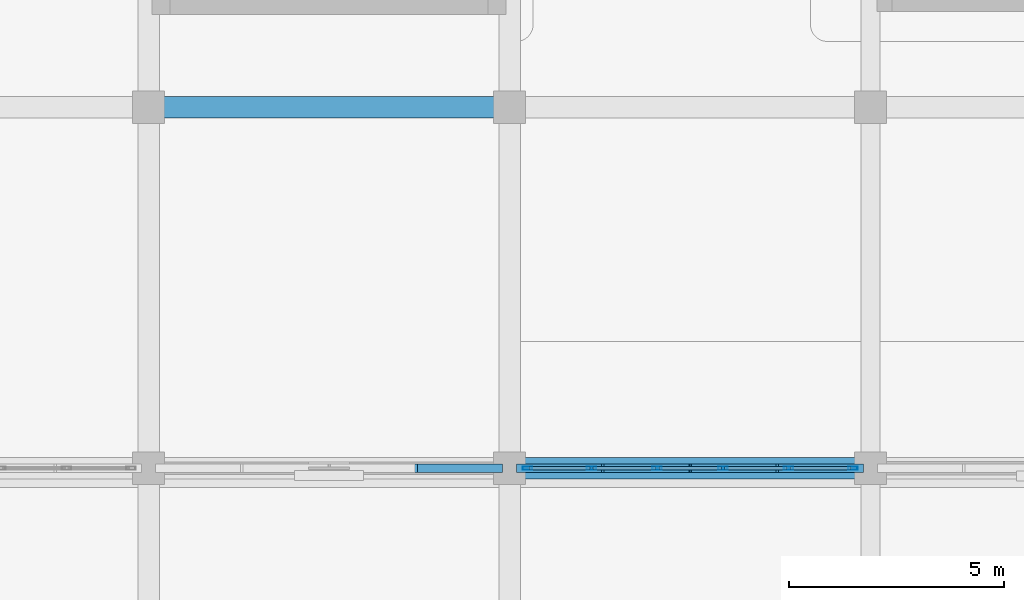
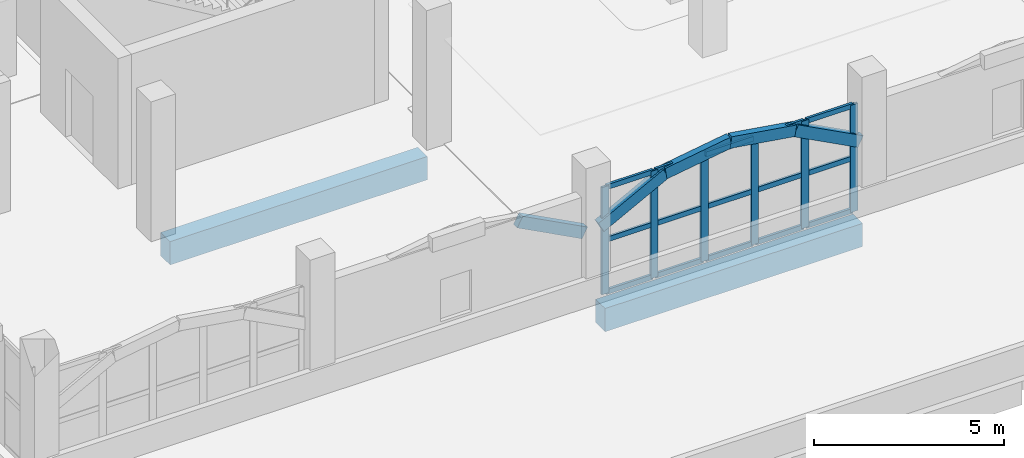
# One storey, part 41 of 114: 26 members, 2 beams, 1 element without a shape of its own.
"""IFC4 building model written with IfcOpenShell, lengths in metres."""

from ifc_helpers import new_model, si_unit, direction, frame, origin, origin_2d, place, context, subcontext, project, spatial, rectangle, hollow_rectangle, extrude, material, layer, layer_set, material_profile, profile_set, type_object, element, aggregate, save


model = new_model("IFC4")

# Units and contexts
model_context = context("Model", 3, precision=1e-05, world=origin(), true_north=direction((0.0, 1.0)))
body_context = subcontext(model_context, "Body", "Model", "MODEL_VIEW")
ifc_project = project(units=[si_unit("LENGTHUNIT", "METRE"), si_unit("AREAUNIT", "SQUARE_METRE"), si_unit("VOLUMEUNIT", "CUBIC_METRE"), si_unit("PLANEANGLEUNIT", "RADIAN"), si_unit("MASSUNIT", "GRAM", prefix="KILO")], contexts=[model_context])

# Site, building, storey
site_placement = place(None, origin())
site = spatial("IfcSite", under=ifc_project, at=site_placement, CompositionType="ELEMENT")
building_placement = place(site_placement, origin())
building = spatial("IfcBuilding", under=site, at=building_placement, Name="Xazarin Passage Department Store", CompositionType="ELEMENT")
storey_placement = place(building_placement, frame((0.0, 0.0, 14.39990234375)))
storey = spatial("IfcBuildingStorey", under=building, at=storey_placement, Name="L03", CompositionType="ELEMENT", Elevation=14.39990234375)

# Curtain wall, members
ifc_material_1 = material(Name="Bronze anodised aluminium", Category="aluminium")
ifc_layer = layer(ifc_material_1, 0.199951171875)
ifc_layer_set = layer_set([ifc_layer], Name="Bronze anodised aluminium")
curtain_wall_type = type_object("IfcCurtainWallType", Name="ARC-CW-VIT2", PredefinedType="NOTDEFINED", material=ifc_layer_set)
curtain_wall_placement = place(storey_placement, origin())
curtain_wall = element("IfcCurtainWall", 1, at=curtain_wall_placement, inside=storey, type_object=curtain_wall_type, Name="L03 V1 Curtain Wall 056", PredefinedType="NOTDEFINED")
ifc_material_profile_1 = material_profile(ifc_material_1, hollow_rectangle(XDim=0.074951171875, YDim=0.219970703125, WallThickness=0.0048828125, at=origin_2d()), Name="ALU 75x220")
ifc_profile_set_1 = profile_set([ifc_material_profile_1], Name="Bronze anodised aluminium")
member_type_1 = type_object("IfcMemberType", Name="ARC-CWM-75x220", PredefinedType="MULLION", material=ifc_profile_set_1)
member_1_placement = place(storey_placement, frame((17.21240234375, 68.0, 0.0), z_axis=(0.0, 0.0, 1.0), x_axis=(0.0, 1.0, 0.0)))
member_1 = element("IfcMember", 2, at=member_1_placement, type_object=member_type_1, Name="CW2 mullion 1", PredefinedType="MULLION", context=body_context, shape_type="SweptSolid", body=[
    extrude(hollow_rectangle(XDim=0.074951171875, YDim=0.219970703125, WallThickness=0.0048828125, at=origin_2d()), origin(), (0.0, 0.0, 1.0), 3.4501953125),
])
member_2_placement = place(storey_placement, frame((18.705078125, 68.0, 0.0), z_axis=(0.0, 0.0, 1.0), x_axis=(0.0, 1.0, 0.0)))
member_2 = element("IfcMember", 3, at=member_2_placement, type_object=member_type_1, Name="CW2 mullion 2", PredefinedType="MULLION", context=body_context, shape_type="SweptSolid", body=[
    extrude(hollow_rectangle(XDim=0.074951171875, YDim=0.219970703125, WallThickness=0.0048828125, at=origin_2d()), origin(), (0.0, 0.0, 1.0), 3.4501953125),
])
member_3_placement = place(storey_placement, frame((20.235107421875, 68.0, 0.0), z_axis=(0.0, 0.0, 1.0), x_axis=(0.0, 1.0, 0.0)))
member_3 = element("IfcMember", 4, at=member_3_placement, type_object=member_type_1, Name="CW2 mullion 3", PredefinedType="MULLION", context=body_context, shape_type="SweptSolid", body=[
    extrude(hollow_rectangle(XDim=0.074951171875, YDim=0.219970703125, WallThickness=0.0048828125, at=origin_2d()), origin(), (0.0, 0.0, 1.0), 3.4501953125),
])
member_4_placement = place(storey_placement, frame((21.764892578125, 68.0, 0.0), z_axis=(0.0, 0.0, 1.0), x_axis=(0.0, 1.0, 0.0)))
member_4 = element("IfcMember", 5, at=member_4_placement, type_object=member_type_1, Name="CW2 mullion 4", PredefinedType="MULLION", context=body_context, shape_type="SweptSolid", body=[
    extrude(hollow_rectangle(XDim=0.074951171875, YDim=0.219970703125, WallThickness=0.0048828125, at=origin_2d()), origin(), (0.0, 0.0, 1.0), 3.4501953125),
])
member_5_placement = place(storey_placement, frame((23.294921875, 68.0, 0.0), z_axis=(0.0, 0.0, 1.0), x_axis=(0.0, 1.0, 0.0)))
member_5 = element("IfcMember", 6, at=member_5_placement, type_object=member_type_1, Name="CW2 mullion 5", PredefinedType="MULLION", context=body_context, shape_type="SweptSolid", body=[
    extrude(hollow_rectangle(XDim=0.074951171875, YDim=0.219970703125, WallThickness=0.0048828125, at=origin_2d()), origin(), (0.0, 0.0, 1.0), 3.4501953125),
])
member_6_placement = place(storey_placement, frame((24.78759765625, 68.0, 0.0), z_axis=(0.0, 0.0, 1.0), x_axis=(0.0, 1.0, 0.0)))
member_6 = element("IfcMember", 7, at=member_6_placement, type_object=member_type_1, Name="CW2 mullion 6", PredefinedType="MULLION", context=body_context, shape_type="SweptSolid", body=[
    extrude(hollow_rectangle(XDim=0.074951171875, YDim=0.219970703125, WallThickness=0.0048828125, at=origin_2d()), origin(), (0.0, 0.0, 1.0), 3.4501953125),
])
ifc_material_profile_2 = material_profile(ifc_material_1, hollow_rectangle(XDim=0.074951171875, YDim=0.159912109375, WallThickness=0.00439453125, at=origin_2d()), Name="ALU 75x160")
ifc_profile_set_2 = profile_set([ifc_material_profile_2], Name="Bronze anodised aluminium")
member_type_2 = type_object("IfcMemberType", Name="ARC-CWT-75x160", PredefinedType="USERDEFINED", material=ifc_profile_set_2)
member_7_placement = place(storey_placement, frame((17.25, 68.0, 0.03759765625), z_axis=(1.0, 0.0, 0.0), x_axis=(0.0, 1.0, 0.0)))
member_7 = element("IfcMember", 8, at=member_7_placement, type_object=member_type_2, Name="CW2 transom 1.1", ObjectType="TRANSOM", PredefinedType="USERDEFINED", context=body_context, shape_type="SweptSolid", body=[
    extrude(hollow_rectangle(XDim=0.074951171875, YDim=0.159912109375, WallThickness=0.00439453125, at=origin_2d()), origin(), (0.0, 0.0, 1.0), 1.41748046875),
])
member_8_placement = place(storey_placement, frame((17.25, 68.0, 1.72509765625), z_axis=(1.0, 0.0, 0.0), x_axis=(0.0, 1.0, 0.0)))
member_8 = element("IfcMember", 9, at=member_8_placement, type_object=member_type_2, Name="CW2 transom 1.2", ObjectType="TRANSOM", PredefinedType="USERDEFINED", context=body_context, shape_type="SweptSolid", body=[
    extrude(hollow_rectangle(XDim=0.074951171875, YDim=0.159912109375, WallThickness=0.00439453125, at=origin_2d()), origin(), (0.0, 0.0, 1.0), 1.41748046875),
])
member_9_placement = place(storey_placement, frame((17.25, 68.0, 3.41259765625), z_axis=(1.0, 0.0, 0.0), x_axis=(0.0, 1.0, 0.0)))
member_9 = element("IfcMember", 10, at=member_9_placement, type_object=member_type_2, Name="CW2 transom 1.3", ObjectType="TRANSOM", PredefinedType="USERDEFINED", context=body_context, shape_type="SweptSolid", body=[
    extrude(hollow_rectangle(XDim=0.074951171875, YDim=0.159912109375, WallThickness=0.00439453125, at=origin_2d()), origin(), (0.0, 0.0, 1.0), 1.41748046875),
])
member_10_placement = place(storey_placement, frame((18.742431640625, 68.0, 0.03759765625), z_axis=(1.0, 0.0, 0.0), x_axis=(0.0, 1.0, 0.0)))
member_10 = element("IfcMember", 11, at=member_10_placement, type_object=member_type_2, Name="CW2 transom 2.1", ObjectType="TRANSOM", PredefinedType="USERDEFINED", context=body_context, shape_type="SweptSolid", body=[
    extrude(hollow_rectangle(XDim=0.074951171875, YDim=0.159912109375, WallThickness=0.00439453125, at=origin_2d()), origin(), (0.0, 0.0, 1.0), 1.455078125),
])
member_11_placement = place(storey_placement, frame((18.742431640625, 68.0, 1.72509765625), z_axis=(1.0, 0.0, 0.0), x_axis=(0.0, 1.0, 0.0)))
member_11 = element("IfcMember", 12, at=member_11_placement, type_object=member_type_2, Name="CW2 transom 2.2", ObjectType="TRANSOM", PredefinedType="USERDEFINED", context=body_context, shape_type="SweptSolid", body=[
    extrude(hollow_rectangle(XDim=0.074951171875, YDim=0.159912109375, WallThickness=0.00439453125, at=origin_2d()), origin(), (0.0, 0.0, 1.0), 1.455078125),
])
member_12_placement = place(storey_placement, frame((18.742431640625, 68.0, 3.41259765625), z_axis=(1.0, 0.0, 0.0), x_axis=(0.0, 1.0, 0.0)))
member_12 = element("IfcMember", 13, at=member_12_placement, type_object=member_type_2, Name="CW2 transom 2.3", ObjectType="TRANSOM", PredefinedType="USERDEFINED", context=body_context, shape_type="SweptSolid", body=[
    extrude(hollow_rectangle(XDim=0.074951171875, YDim=0.159912109375, WallThickness=0.00439453125, at=origin_2d()), origin(), (0.0, 0.0, 1.0), 1.455078125),
])
member_13_placement = place(storey_placement, frame((20.2724609375, 68.0, 0.03759765625), z_axis=(1.0, 0.0, 0.0), x_axis=(0.0, 1.0, 0.0)))
member_13 = element("IfcMember", 14, at=member_13_placement, type_object=member_type_2, Name="CW2 transom 3.1", ObjectType="TRANSOM", PredefinedType="USERDEFINED", context=body_context, shape_type="SweptSolid", body=[
    extrude(hollow_rectangle(XDim=0.074951171875, YDim=0.159912109375, WallThickness=0.00439453125, at=origin_2d()), origin(), (0.0, 0.0, 1.0), 1.455078125),
])
member_14_placement = place(storey_placement, frame((20.2724609375, 68.0, 1.72509765625), z_axis=(1.0, 0.0, 0.0), x_axis=(0.0, 1.0, 0.0)))
member_14 = element("IfcMember", 15, at=member_14_placement, type_object=member_type_2, Name="CW2 transom 3.2", ObjectType="TRANSOM", PredefinedType="USERDEFINED", context=body_context, shape_type="SweptSolid", body=[
    extrude(hollow_rectangle(XDim=0.074951171875, YDim=0.159912109375, WallThickness=0.00439453125, at=origin_2d()), origin(), (0.0, 0.0, 1.0), 1.455078125),
])
member_15_placement = place(storey_placement, frame((20.2724609375, 68.0, 3.41259765625), z_axis=(1.0, 0.0, 0.0), x_axis=(0.0, 1.0, 0.0)))
member_15 = element("IfcMember", 16, at=member_15_placement, type_object=member_type_2, Name="CW2 transom 3.3", ObjectType="TRANSOM", PredefinedType="USERDEFINED", context=body_context, shape_type="SweptSolid", body=[
    extrude(hollow_rectangle(XDim=0.074951171875, YDim=0.159912109375, WallThickness=0.00439453125, at=origin_2d()), origin(), (0.0, 0.0, 1.0), 1.455078125),
])
member_16_placement = place(storey_placement, frame((21.802490234375, 68.0, 0.03759765625), z_axis=(1.0, 0.0, 0.0), x_axis=(0.0, 1.0, 0.0)))
member_16 = element("IfcMember", 17, at=member_16_placement, type_object=member_type_2, Name="CW2 transom 4.1", ObjectType="TRANSOM", PredefinedType="USERDEFINED", context=body_context, shape_type="SweptSolid", body=[
    extrude(hollow_rectangle(XDim=0.074951171875, YDim=0.159912109375, WallThickness=0.00439453125, at=origin_2d()), origin(), (0.0, 0.0, 1.0), 1.455078125),
])
member_17_placement = place(storey_placement, frame((21.802490234375, 68.0, 1.72509765625), z_axis=(1.0, 0.0, 0.0), x_axis=(0.0, 1.0, 0.0)))
member_17 = element("IfcMember", 18, at=member_17_placement, type_object=member_type_2, Name="CW2 transom 4.2", ObjectType="TRANSOM", PredefinedType="USERDEFINED", context=body_context, shape_type="SweptSolid", body=[
    extrude(hollow_rectangle(XDim=0.074951171875, YDim=0.159912109375, WallThickness=0.00439453125, at=origin_2d()), origin(), (0.0, 0.0, 1.0), 1.455078125),
])
member_18_placement = place(storey_placement, frame((21.802490234375, 68.0, 3.41259765625), z_axis=(1.0, 0.0, 0.0), x_axis=(0.0, 1.0, 0.0)))
member_18 = element("IfcMember", 19, at=member_18_placement, type_object=member_type_2, Name="CW2 transom 4.3", ObjectType="TRANSOM", PredefinedType="USERDEFINED", context=body_context, shape_type="SweptSolid", body=[
    extrude(hollow_rectangle(XDim=0.074951171875, YDim=0.159912109375, WallThickness=0.00439453125, at=origin_2d()), origin(), (0.0, 0.0, 1.0), 1.455078125),
])
member_19_placement = place(storey_placement, frame((23.33251953125, 68.0, 0.03759765625), z_axis=(1.0, 0.0, 0.0), x_axis=(0.0, 1.0, 0.0)))
member_19 = element("IfcMember", 20, at=member_19_placement, type_object=member_type_2, Name="CW2 transom 5.1", ObjectType="TRANSOM", PredefinedType="USERDEFINED", context=body_context, shape_type="SweptSolid", body=[
    extrude(hollow_rectangle(XDim=0.074951171875, YDim=0.159912109375, WallThickness=0.00439453125, at=origin_2d()), origin(), (0.0, 0.0, 1.0), 1.41748046875),
])
member_20_placement = place(storey_placement, frame((23.33251953125, 68.0, 1.72509765625), z_axis=(1.0, 0.0, 0.0), x_axis=(0.0, 1.0, 0.0)))
member_20 = element("IfcMember", 21, at=member_20_placement, type_object=member_type_2, Name="CW2 transom 5.2", ObjectType="TRANSOM", PredefinedType="USERDEFINED", context=body_context, shape_type="SweptSolid", body=[
    extrude(hollow_rectangle(XDim=0.074951171875, YDim=0.159912109375, WallThickness=0.00439453125, at=origin_2d()), origin(), (0.0, 0.0, 1.0), 1.41748046875),
])
member_21_placement = place(storey_placement, frame((23.33251953125, 68.0, 3.41259765625), z_axis=(1.0, 0.0, 0.0), x_axis=(0.0, 1.0, 0.0)))
member_21 = element("IfcMember", 22, at=member_21_placement, type_object=member_type_2, Name="CW2 transom 5.3", ObjectType="TRANSOM", PredefinedType="USERDEFINED", context=body_context, shape_type="SweptSolid", body=[
    extrude(hollow_rectangle(XDim=0.074951171875, YDim=0.159912109375, WallThickness=0.00439453125, at=origin_2d()), origin(), (0.0, 0.0, 1.0), 1.41748046875),
])
aggregate(curtain_wall, [member_1, member_2, member_3, member_4, member_5, member_6, member_7, member_8, member_9, member_10, member_11, member_12, member_13, member_14, member_15, member_16, member_17, member_18, member_19, member_20, member_21])

# Beams
ifc_material_2 = material(Name="Concrete C35/45", Category="concrete")
ifc_material_profile_3 = material_profile(ifc_material_2, rectangle(XDim=0.5, YDim=0.75, at=origin_2d()), Name="RC 500x750")
ifc_profile_set_3 = profile_set([ifc_material_profile_3], Name="Concrete C35/45")
beam_type = type_object("IfcBeamType", Name="STR-BM-SP500x750", PredefinedType="SPANDREL", material=ifc_profile_set_3)
beam_1_placement = place(storey_placement, frame((17.080078125, 68.0, -0.6748046875), z_axis=(1.0, 0.0, 0.0), x_axis=(0.0, 1.0, 0.0)))
element("IfcBeam", 23, at=beam_1_placement, inside=storey, type_object=beam_type, Name="L03 Grid Beam K/3-4", PredefinedType="SPANDREL", context=body_context, shape_type="SweptSolid", body=[
    extrude(rectangle(XDim=0.5, YDim=0.75, at=origin_2d()), origin(), (0.0, 0.0, 1.0), 7.83984375),
])
beam_2_placement = place(storey_placement, frame((8.679931640625, 76.39990234375, -0.6748046875), z_axis=(1.0, 0.0, 0.0), x_axis=(0.0, 1.0, 0.0)))
element("IfcBeam", 24, at=beam_2_placement, inside=storey, type_object=beam_type, Name="L03 Grid Beam L/2-3", PredefinedType="SPANDREL", context=body_context, shape_type="SweptSolid", body=[
    extrude(rectangle(XDim=0.5, YDim=0.75, at=origin_2d()), origin(), (0.0, 0.0, 1.0), 7.840087890625),
])

# Members
ifc_material_3 = material(Name="Concrete C40/50", Category="concrete")
ifc_material_profile_4 = material_profile(ifc_material_3, rectangle(XDim=0.199951171875, YDim=0.360107421875, at=origin_2d()), Name="RC 200x360")
ifc_profile_set_4 = profile_set([ifc_material_profile_4], Name="Concrete C40/50")
member_type_3 = type_object("IfcMemberType", Name="STR-MEM-ARC360", PredefinedType="CHORD", material=ifc_profile_set_4)
member_22_placement = place(storey_placement, frame((14.574951171875, 68.0, 3.2705078125), z_axis=(0.88473311603, 0.0, -0.466097965454), x_axis=(0.0, 1.0, 0.0)))
element("IfcMember", 25, at=member_22_placement, inside=storey, type_object=member_type_3, Name="L03 V1 Upper Setback Pierced Arch 013.4", PredefinedType="CHORD", context=body_context, shape_type="SweptSolid", body=[
    extrude(rectangle(XDim=0.199951171875, YDim=0.360107421875, at=origin_2d()), origin(), (0.0, 0.0, 1.0), 2.232421875),
])
member_23_placement = place(storey_placement, frame((17.050048828125, 68.0, 2.22998046875), z_axis=(0.884709354127, 0.0, 0.466143066793), x_axis=(0.0, 1.0, 0.0)))
element("IfcMember", 26, at=member_23_placement, inside=storey, type_object=member_type_3, Name="L03 V1 Upper Setback Pierced Arch 014.1", PredefinedType="CHORD", context=body_context, shape_type="SweptSolid", body=[
    extrude(rectangle(XDim=0.199951171875, YDim=0.360107421875, at=origin_2d()), origin(), (0.0, 0.0, 1.0), 2.232177734375),
])
for number, where, z_axis, x_axis, name in (
    (27, (19.02490234375, 68.0, 3.2705078125), (0.987938581312, 0.0, 0.154846244883), (0.0, 1.0, 0.0), "L03 V1 Upper Setback Pierced Arch 014.2"),
    (28, (21.0, 68.0, 3.580078125), (0.987938581312, 0.0, -0.154846244883), (0.0, 1.0, 0.0), "L03 V1 Upper Setback Pierced Arch 014.3"),
):
    element("IfcMember", number, at=place(storey_placement, frame(where, z_axis=z_axis, x_axis=x_axis)), inside=storey, type_object=member_type_3, Name=name, PredefinedType="CHORD", context=body_context, shape_type="SweptSolid", body=[
        extrude(rectangle(XDim=0.199951171875, YDim=0.360107421875, at=origin_2d()), origin(), (0.0, 0.0, 1.0), 1.999267578125),
    ])
member_24_placement = place(storey_placement, frame((22.97509765625, 68.0, 3.2705078125), z_axis=(0.884709354127, 0.0, -0.466143066793), x_axis=(0.0, 1.0, 0.0)))
element("IfcMember", 29, at=member_24_placement, inside=storey, type_object=member_type_3, Name="L03 V1 Upper Setback Pierced Arch 014.4", PredefinedType="CHORD", context=body_context, shape_type="SweptSolid", body=[
    extrude(rectangle(XDim=0.199951171875, YDim=0.360107421875, at=origin_2d()), origin(), (0.0, 0.0, 1.0), 2.232177734375),
])

save(model, "model.ifc")
